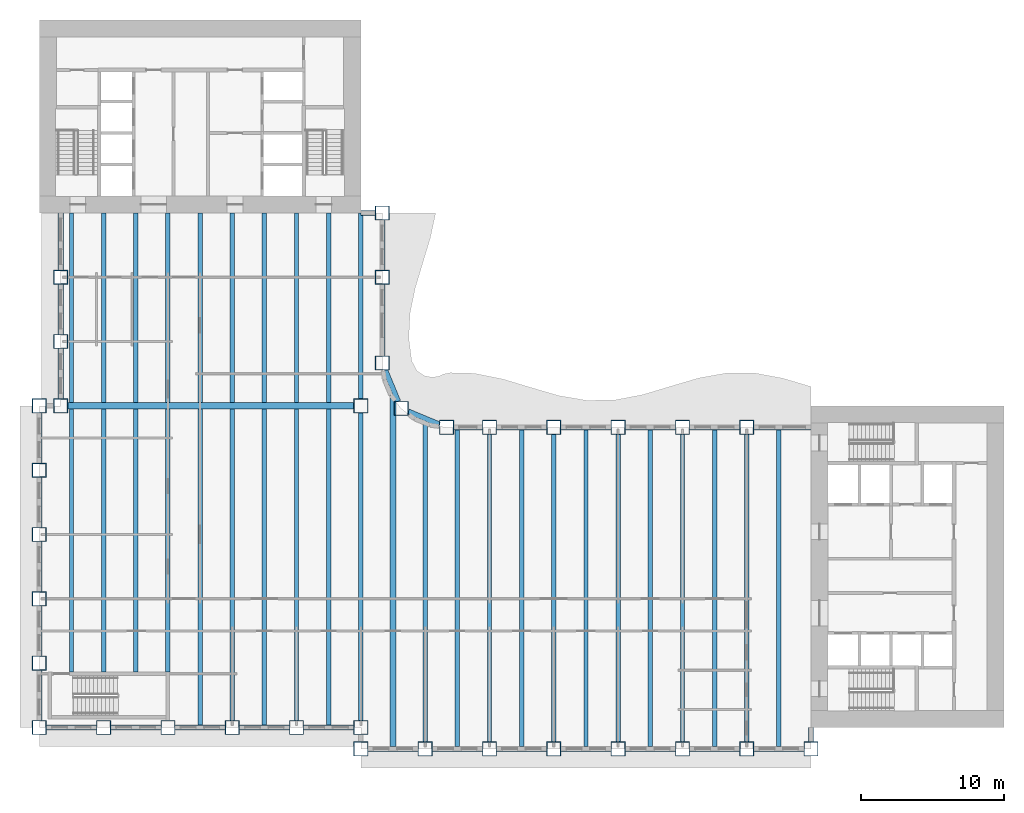
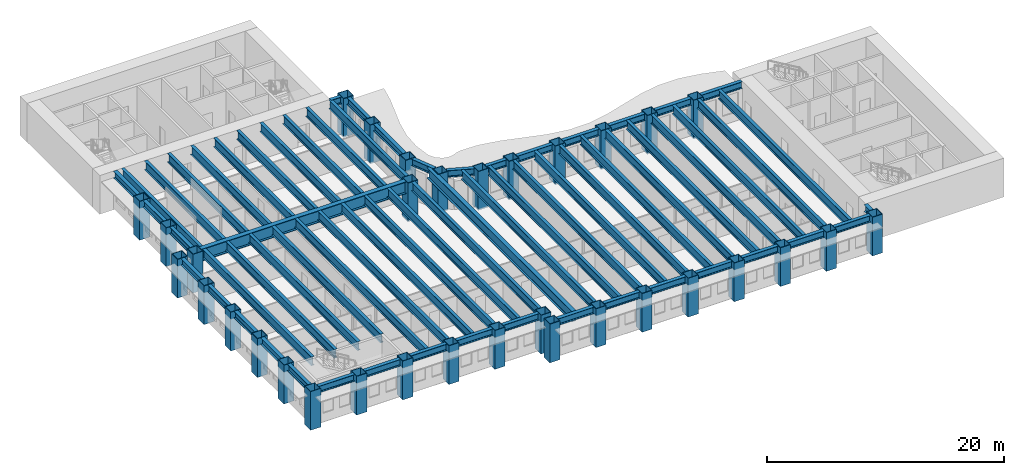
# One storey, part 1 of 16: 66 beams, 33 columns.
"""IFC4 building model written with IfcOpenShell, lengths in metres."""

from ifc_helpers import new_model, si_unit, direction, frame, origin, origin_2d, place, context, subcontext, project, spatial, hollow_rectangle, i_section, extrude, material, material_profile, profile_set, type_object, element, save


model = new_model("IFC4")

# Units and contexts
model_context = context("Model", 3, precision=1e-05, world=origin(), true_north=direction((0.0, 1.0)))
body_context = subcontext(model_context, "Body", "Model", "MODEL_VIEW")
ifc_project = project(units=[si_unit("LENGTHUNIT", "METRE"), si_unit("AREAUNIT", "SQUARE_METRE"), si_unit("VOLUMEUNIT", "CUBIC_METRE"), si_unit("PLANEANGLEUNIT", "RADIAN"), si_unit("MASSUNIT", "GRAM", prefix="KILO")], contexts=[model_context])

# Site, building, storey
site_placement = place(None, origin())
site = spatial("IfcSite", under=ifc_project, at=site_placement, CompositionType="ELEMENT")
building_placement = place(site_placement, origin())
building = spatial("IfcBuilding", under=site, at=building_placement, Name="Sennacour Bend Tower", CompositionType="ELEMENT")
storey_placement = place(building_placement, frame((0.0, 0.0, 111.0)))
storey = spatial("IfcBuildingStorey", under=building, at=storey_placement, Name="L25", CompositionType="ELEMENT", Elevation=111.0)

# Columns
ifc_material_1 = material(Name="Steel ASTM A572 Grade 50", Category="steel")
ifc_material_profile_1 = material_profile(ifc_material_1, hollow_rectangle(XDim=1.0, YDim=1.0, WallThickness=0.050048828125, at=origin_2d()), Name="Steel ASTM A572 Grade 50", Category="steel")
ifc_profile_set_1 = profile_set([ifc_material_profile_1], Name="Steel ASTM A572 Grade 50")
column_type = type_object("IfcColumnType", Name="Box column 1000", PredefinedType="COLUMN", material=ifc_profile_set_1)
for number, where, z_axis, x_axis, name in (
    (1, (0.0, 0.0, -0.14990234375), (0.0, 0.0, 1.0), (1.0, 0.0, 0.0), "Perimeter column C2 L25-001"),
    (2, (0.0, 4.5, -0.14990234375), (0.0, 0.0, 1.0), (1.0, 0.0, 0.0), "Perimeter column C2 L25-002"),
    (3, (0.0, 9.0, -0.14990234375), (0.0, 0.0, 1.0), (1.0, 0.0, 0.0), "Perimeter column C2 L25-003"),
    (4, (0.0, 13.5, -0.14990234375), (0.0, 0.0, 1.0), (1.0, 0.0, 0.0), "Perimeter column C2 L25-004"),
    (5, (0.0, 18.0, -0.14990234375), (0.0, 0.0, 1.0), (1.0, 0.0, 0.0), "Perimeter column C2 L25-005"),
    (6, (0.0, 22.5, -0.14990234375), (0.0, 0.0, 1.0), (1.0, 0.0, 0.0), "Perimeter column C2 L25-006"),
    (7, (1.5, 22.5, -0.14990234375), (0.0, 0.0, 1.0), (1.0, 0.0, 0.0), "Perimeter column C2 L25-007"),
    (8, (1.5, 27.0, -0.14990234375), (0.0, 0.0, 1.0), (1.0, 0.0, 0.0), "Perimeter column C2 L25-008"),
    (9, (1.5, 31.5, -0.14990234375), (0.0, 0.0, 1.0), (1.0, 0.0, 0.0), "Perimeter column C2 L25-009"),
    (10, (4.5, 0.0, -0.14990234375), (0.0, 0.0, 1.0), (1.0, 0.0, 0.0), "Perimeter column C2 L25-010"),
    (11, (9.0, 0.0, -0.14990234375), (0.0, 0.0, 1.0), (1.0, 0.0, 0.0), "Perimeter column C2 L25-011"),
    (12, (13.5, 0.0, -0.14990234375), (0.0, 0.0, 1.0), (1.0, 0.0, 0.0), "Perimeter column C2 L25-012"),
    (13, (18.0, 0.0, -0.14990234375), (0.0, 0.0, 1.0), (1.0, 0.0, 0.0), "Perimeter column C2 L25-013"),
    (14, (22.5, -1.5, -0.14990234375), (0.0, 0.0, 1.0), (1.0, 0.0, 0.0), "Perimeter column C2 L25-014"),
    (15, (22.5, 0.0, -0.14990234375), (0.0, 0.0, 1.0), (1.0, 0.0, 0.0), "Perimeter column C2 L25-015"),
    (16, (22.5, 22.5, -0.14990234375), (0.0, 0.0, 1.0), (1.0, 0.0, 0.0), "Knuckle column C2 L25-016"),
    (17, (24.0, 25.5, -0.14990234375), (0.0, 0.0, 1.0), (1.0, 0.0, 0.0), "Perimeter column C2 L25-017"),
    (18, (24.0, 31.5, -0.14990234375), (0.0, 0.0, 1.0), (1.0, 0.0, 0.0), "Perimeter column C2 L25-018"),
    (19, (24.0, 36.0, -0.14990234375), (0.0, 0.0, 1.0), (1.0, 0.0, 0.0), "Perimeter column C2 L25-019"),
    (20, (25.318115234375, 22.318115234375, -0.14990234375), (0.0, 0.0, 1.0), (1.0, 0.0, 0.0), "Perimeter column C2 L25-020"),
    (21, (27.0, -1.5, -0.14990234375), (0.0, 0.0, 1.0), (1.0, 0.0, 0.0), "Perimeter column C2 L25-021"),
    (22, (28.5, 21.0, -0.14990234375), (0.0, 0.0, 1.0), (1.0, 0.0, 0.0), "Perimeter column C2 L25-022"),
    (23, (31.5, -1.5, -0.14990234375), (0.0, 0.0, 1.0), (1.0, 0.0, 0.0), "Perimeter column C2 L25-023"),
    (24, (31.5, 21.0, -0.14990234375), (0.0, 0.0, 1.0), (1.0, 0.0, 0.0), "Perimeter column C2 L25-024"),
    (25, (36.0, -1.5, -0.14990234375), (0.0, 0.0, 1.0), (1.0, 0.0, 0.0), "Perimeter column C2 L25-025"),
    (26, (36.0, 21.0, -0.14990234375), (0.0, 0.0, 1.0), (1.0, 0.0, 0.0), "Perimeter column C2 L25-026"),
    (27, (40.5, -1.5, -0.14990234375), (0.0, 0.0, 1.0), (1.0, 0.0, 0.0), "Perimeter column C2 L25-027"),
    (28, (40.5, 21.0, -0.14990234375), (0.0, 0.0, 1.0), (1.0, 0.0, 0.0), "Perimeter column C2 L25-028"),
    (29, (45.0, -1.5, -0.14990234375), (0.0, 0.0, 1.0), (1.0, 0.0, 0.0), "Perimeter column C2 L25-029"),
    (30, (45.0, 21.0, -0.14990234375), (0.0, 0.0, 1.0), (1.0, 0.0, 0.0), "Perimeter column C2 L25-030"),
    (31, (49.5, -1.5, -0.14990234375), (0.0, 0.0, 1.0), (1.0, 0.0, 0.0), "Perimeter column C2 L25-031"),
    (32, (49.5, 21.0, -0.14990234375), (0.0, 0.0, 1.0), (1.0, 0.0, 0.0), "Perimeter column C2 L25-032"),
    (33, (54.0, -1.5, -0.14990234375), (0.0, 0.0, 1.0), (1.0, 0.0, 0.0), "Perimeter column C2 L25-033"),
):
    element("IfcColumn", number, at=place(storey_placement, frame(where, z_axis=z_axis, x_axis=x_axis)), inside=storey, type_object=column_type, Name=name, PredefinedType="COLUMN", context=body_context, shape_type="SweptSolid", body=[
        extrude(hollow_rectangle(XDim=1.0, YDim=1.0, WallThickness=0.050048828125, at=origin_2d()), origin(), (0.0, 0.0, 1.0), 4.0),
    ])

# Beams
ifc_material_2 = material(Name="Steel ASTM A992 Grade 50", Category="steel")
ifc_material_profile_2 = material_profile(ifc_material_2, i_section(OverallWidth=0.304931640625, OverallDepth=0.912109375, WebThickness=0.015869140625, FlangeThickness=0.02392578125, FilletRadius=0.01904296875, at=origin_2d()), Name="Steel ASTM A992 Grade 50", Category="steel")
ifc_profile_set_2 = profile_set([ifc_material_profile_2], Name="Steel ASTM A992 Grade 50")
beam_type_1 = type_object("IfcBeamType", Name="Floor beam W920X223", PredefinedType="BEAM", material=ifc_profile_set_2)
beam_1_placement = place(storey_placement, frame((2.25, 3.875, 3.39404296875), z_axis=(0.0, 1.0, 0.0), x_axis=(-1.0, 0.0, 0.0)))
element("IfcBeam", 34, at=beam_1_placement, inside=storey, type_object=beam_type_1, Name="Floor beam FBM1 L26-001", PredefinedType="BEAM", context=body_context, shape_type="SweptSolid", body=[
    extrude(i_section(OverallWidth=0.304931640625, OverallDepth=0.912109375, WebThickness=0.015869140625, FlangeThickness=0.02392578125, FilletRadius=0.01904296875, at=origin_2d()), origin(), (0.0, 0.0, 1.0), 18.39990234375),
])
beam_2_placement = place(storey_placement, frame((2.25, 22.72509765625, 3.39404296875), z_axis=(0.0, 1.0, 0.0), x_axis=(-1.0, 0.0, 0.0)))
element("IfcBeam", 35, at=beam_2_placement, inside=storey, type_object=beam_type_1, Name="Floor beam FBM1 L26-002", PredefinedType="BEAM", context=body_context, shape_type="SweptSolid", body=[
    extrude(i_section(OverallWidth=0.304931640625, OverallDepth=0.912109375, WebThickness=0.015869140625, FlangeThickness=0.02392578125, FilletRadius=0.01904296875, at=origin_2d()), origin(), (0.0, 0.0, 1.0), 13.27490234375),
])
beam_3_placement = place(storey_placement, frame((4.5, 3.875, 3.39404296875), z_axis=(0.0, 1.0, 0.0), x_axis=(-1.0, 0.0, 0.0)))
element("IfcBeam", 36, at=beam_3_placement, inside=storey, type_object=beam_type_1, Name="Floor beam FBM1 L26-003", PredefinedType="BEAM", context=body_context, shape_type="SweptSolid", body=[
    extrude(i_section(OverallWidth=0.304931640625, OverallDepth=0.912109375, WebThickness=0.015869140625, FlangeThickness=0.02392578125, FilletRadius=0.01904296875, at=origin_2d()), origin(), (0.0, 0.0, 1.0), 18.39990234375),
])
beam_4_placement = place(storey_placement, frame((4.5, 22.72509765625, 3.39404296875), z_axis=(0.0, 1.0, 0.0), x_axis=(-1.0, 0.0, 0.0)))
element("IfcBeam", 37, at=beam_4_placement, inside=storey, type_object=beam_type_1, Name="Floor beam FBM1 L26-004", PredefinedType="BEAM", context=body_context, shape_type="SweptSolid", body=[
    extrude(i_section(OverallWidth=0.304931640625, OverallDepth=0.912109375, WebThickness=0.015869140625, FlangeThickness=0.02392578125, FilletRadius=0.01904296875, at=origin_2d()), origin(), (0.0, 0.0, 1.0), 13.27490234375),
])
beam_5_placement = place(storey_placement, frame((6.75, 3.875, 3.39404296875), z_axis=(0.0, 1.0, 0.0), x_axis=(-1.0, 0.0, 0.0)))
element("IfcBeam", 38, at=beam_5_placement, inside=storey, type_object=beam_type_1, Name="Floor beam FBM1 L26-005", PredefinedType="BEAM", context=body_context, shape_type="SweptSolid", body=[
    extrude(i_section(OverallWidth=0.304931640625, OverallDepth=0.912109375, WebThickness=0.015869140625, FlangeThickness=0.02392578125, FilletRadius=0.01904296875, at=origin_2d()), origin(), (0.0, 0.0, 1.0), 18.39990234375),
])
beam_6_placement = place(storey_placement, frame((6.75, 22.72509765625, 3.39404296875), z_axis=(0.0, 1.0, 0.0), x_axis=(-1.0, 0.0, 0.0)))
element("IfcBeam", 39, at=beam_6_placement, inside=storey, type_object=beam_type_1, Name="Floor beam FBM1 L26-006", PredefinedType="BEAM", context=body_context, shape_type="SweptSolid", body=[
    extrude(i_section(OverallWidth=0.304931640625, OverallDepth=0.912109375, WebThickness=0.015869140625, FlangeThickness=0.02392578125, FilletRadius=0.01904296875, at=origin_2d()), origin(), (0.0, 0.0, 1.0), 13.27490234375),
])
beam_7_placement = place(storey_placement, frame((9.0, 3.875, 3.39404296875), z_axis=(0.0, 1.0, 0.0), x_axis=(-1.0, 0.0, 0.0)))
element("IfcBeam", 40, at=beam_7_placement, inside=storey, type_object=beam_type_1, Name="Floor beam FBM1 L26-007", PredefinedType="BEAM", context=body_context, shape_type="SweptSolid", body=[
    extrude(i_section(OverallWidth=0.304931640625, OverallDepth=0.912109375, WebThickness=0.015869140625, FlangeThickness=0.02392578125, FilletRadius=0.01904296875, at=origin_2d()), origin(), (0.0, 0.0, 1.0), 18.39990234375),
])
beam_8_placement = place(storey_placement, frame((9.0, 22.72509765625, 3.39404296875), z_axis=(0.0, 1.0, 0.0), x_axis=(-1.0, 0.0, 0.0)))
element("IfcBeam", 41, at=beam_8_placement, inside=storey, type_object=beam_type_1, Name="Floor beam FBM1 L26-008", PredefinedType="BEAM", context=body_context, shape_type="SweptSolid", body=[
    extrude(i_section(OverallWidth=0.304931640625, OverallDepth=0.912109375, WebThickness=0.015869140625, FlangeThickness=0.02392578125, FilletRadius=0.01904296875, at=origin_2d()), origin(), (0.0, 0.0, 1.0), 13.27490234375),
])
beam_9_placement = place(storey_placement, frame((11.25, 0.177978515625, 3.39404296875), z_axis=(0.0, 1.0, 0.0), x_axis=(-1.0, 0.0, 0.0)))
element("IfcBeam", 42, at=beam_9_placement, inside=storey, type_object=beam_type_1, Name="Floor beam FBM1 L26-009", PredefinedType="BEAM", context=body_context, shape_type="SweptSolid", body=[
    extrude(i_section(OverallWidth=0.304931640625, OverallDepth=0.912109375, WebThickness=0.015869140625, FlangeThickness=0.02392578125, FilletRadius=0.01904296875, at=origin_2d()), origin(), (0.0, 0.0, 1.0), 22.096923828125),
])
beam_10_placement = place(storey_placement, frame((11.25, 22.72509765625, 3.39404296875), z_axis=(0.0, 1.0, 0.0), x_axis=(-1.0, 0.0, 0.0)))
element("IfcBeam", 43, at=beam_10_placement, inside=storey, type_object=beam_type_1, Name="Floor beam FBM1 L26-010", PredefinedType="BEAM", context=body_context, shape_type="SweptSolid", body=[
    extrude(i_section(OverallWidth=0.304931640625, OverallDepth=0.912109375, WebThickness=0.015869140625, FlangeThickness=0.02392578125, FilletRadius=0.01904296875, at=origin_2d()), origin(), (0.0, 0.0, 1.0), 13.27490234375),
])
beam_11_placement = place(storey_placement, frame((13.5, 0.5, 3.39404296875), z_axis=(0.0, 1.0, 0.0), x_axis=(-1.0, 0.0, 0.0)))
element("IfcBeam", 44, at=beam_11_placement, inside=storey, type_object=beam_type_1, Name="Floor beam FBM1 L26-011", PredefinedType="BEAM", context=body_context, shape_type="SweptSolid", body=[
    extrude(i_section(OverallWidth=0.304931640625, OverallDepth=0.912109375, WebThickness=0.015869140625, FlangeThickness=0.02392578125, FilletRadius=0.01904296875, at=origin_2d()), origin(), (0.0, 0.0, 1.0), 21.77490234375),
])
beam_12_placement = place(storey_placement, frame((13.5, 22.72509765625, 3.39404296875), z_axis=(0.0, 1.0, 0.0), x_axis=(-1.0, 0.0, 0.0)))
element("IfcBeam", 45, at=beam_12_placement, inside=storey, type_object=beam_type_1, Name="Floor beam FBM1 L26-012", PredefinedType="BEAM", context=body_context, shape_type="SweptSolid", body=[
    extrude(i_section(OverallWidth=0.304931640625, OverallDepth=0.912109375, WebThickness=0.015869140625, FlangeThickness=0.02392578125, FilletRadius=0.01904296875, at=origin_2d()), origin(), (0.0, 0.0, 1.0), 13.27490234375),
])
beam_13_placement = place(storey_placement, frame((15.75, 0.177978515625, 3.39404296875), z_axis=(0.0, 1.0, 0.0), x_axis=(-1.0, 0.0, 0.0)))
element("IfcBeam", 46, at=beam_13_placement, inside=storey, type_object=beam_type_1, Name="Floor beam FBM1 L26-013", PredefinedType="BEAM", context=body_context, shape_type="SweptSolid", body=[
    extrude(i_section(OverallWidth=0.304931640625, OverallDepth=0.912109375, WebThickness=0.015869140625, FlangeThickness=0.02392578125, FilletRadius=0.01904296875, at=origin_2d()), origin(), (0.0, 0.0, 1.0), 22.096923828125),
])
beam_14_placement = place(storey_placement, frame((15.75, 22.72509765625, 3.39404296875), z_axis=(0.0, 1.0, 0.0), x_axis=(-1.0, 0.0, 0.0)))
element("IfcBeam", 47, at=beam_14_placement, inside=storey, type_object=beam_type_1, Name="Floor beam FBM1 L26-014", PredefinedType="BEAM", context=body_context, shape_type="SweptSolid", body=[
    extrude(i_section(OverallWidth=0.304931640625, OverallDepth=0.912109375, WebThickness=0.015869140625, FlangeThickness=0.02392578125, FilletRadius=0.01904296875, at=origin_2d()), origin(), (0.0, 0.0, 1.0), 13.27490234375),
])
beam_15_placement = place(storey_placement, frame((18.0, 0.5, 3.39404296875), z_axis=(0.0, 1.0, 0.0), x_axis=(-1.0, 0.0, 0.0)))
element("IfcBeam", 48, at=beam_15_placement, inside=storey, type_object=beam_type_1, Name="Floor beam FBM1 L26-015", PredefinedType="BEAM", context=body_context, shape_type="SweptSolid", body=[
    extrude(i_section(OverallWidth=0.304931640625, OverallDepth=0.912109375, WebThickness=0.015869140625, FlangeThickness=0.02392578125, FilletRadius=0.01904296875, at=origin_2d()), origin(), (0.0, 0.0, 1.0), 21.77490234375),
])
beam_16_placement = place(storey_placement, frame((18.0, 22.72509765625, 3.39404296875), z_axis=(0.0, 1.0, 0.0), x_axis=(-1.0, 0.0, 0.0)))
element("IfcBeam", 49, at=beam_16_placement, inside=storey, type_object=beam_type_1, Name="Floor beam FBM1 L26-016", PredefinedType="BEAM", context=body_context, shape_type="SweptSolid", body=[
    extrude(i_section(OverallWidth=0.304931640625, OverallDepth=0.912109375, WebThickness=0.015869140625, FlangeThickness=0.02392578125, FilletRadius=0.01904296875, at=origin_2d()), origin(), (0.0, 0.0, 1.0), 13.27490234375),
])
beam_17_placement = place(storey_placement, frame((20.25, 0.177978515625, 3.39404296875), z_axis=(0.0, 1.0, 0.0), x_axis=(-1.0, 0.0, 0.0)))
element("IfcBeam", 50, at=beam_17_placement, inside=storey, type_object=beam_type_1, Name="Floor beam FBM1 L26-017", PredefinedType="BEAM", context=body_context, shape_type="SweptSolid", body=[
    extrude(i_section(OverallWidth=0.304931640625, OverallDepth=0.912109375, WebThickness=0.015869140625, FlangeThickness=0.02392578125, FilletRadius=0.01904296875, at=origin_2d()), origin(), (0.0, 0.0, 1.0), 22.096923828125),
])
beam_18_placement = place(storey_placement, frame((20.25, 22.72509765625, 3.39404296875), z_axis=(0.0, 1.0, 0.0), x_axis=(-1.0, 0.0, 0.0)))
element("IfcBeam", 51, at=beam_18_placement, inside=storey, type_object=beam_type_1, Name="Floor beam FBM1 L26-018", PredefinedType="BEAM", context=body_context, shape_type="SweptSolid", body=[
    extrude(i_section(OverallWidth=0.304931640625, OverallDepth=0.912109375, WebThickness=0.015869140625, FlangeThickness=0.02392578125, FilletRadius=0.01904296875, at=origin_2d()), origin(), (0.0, 0.0, 1.0), 13.27490234375),
])
beam_19_placement = place(storey_placement, frame((22.5, 0.5, 3.39404296875), z_axis=(0.0, 1.0, 0.0), x_axis=(-1.0, 0.0, 0.0)))
element("IfcBeam", 52, at=beam_19_placement, inside=storey, type_object=beam_type_1, Name="Floor beam FBM1 L26-019", PredefinedType="BEAM", context=body_context, shape_type="SweptSolid", body=[
    extrude(i_section(OverallWidth=0.304931640625, OverallDepth=0.912109375, WebThickness=0.015869140625, FlangeThickness=0.02392578125, FilletRadius=0.01904296875, at=origin_2d()), origin(), (0.0, 0.0, 1.0), 21.5),
])
beam_20_placement = place(storey_placement, frame((22.5, 23.0, 3.39404296875), z_axis=(0.0, 1.0, 0.0), x_axis=(-1.0, 0.0, 0.0)))
element("IfcBeam", 53, at=beam_20_placement, inside=storey, type_object=beam_type_1, Name="Floor beam FBM1 L26-020", PredefinedType="BEAM", context=body_context, shape_type="SweptSolid", body=[
    extrude(i_section(OverallWidth=0.304931640625, OverallDepth=0.912109375, WebThickness=0.015869140625, FlangeThickness=0.02392578125, FilletRadius=0.01904296875, at=origin_2d()), origin(), (0.0, 0.0, 1.0), 13.0),
])
beam_21_placement = place(storey_placement, frame((27.0, -1.0, 3.39404296875), z_axis=(0.0, 1.0, 0.0), x_axis=(-1.0, 0.0, 0.0)))
element("IfcBeam", 54, at=beam_21_placement, inside=storey, type_object=beam_type_1, Name="Floor beam FBM1 L26-022", PredefinedType="BEAM", context=body_context, shape_type="SweptSolid", body=[
    extrude(i_section(OverallWidth=0.304931640625, OverallDepth=0.912109375, WebThickness=0.015869140625, FlangeThickness=0.02392578125, FilletRadius=0.01904296875, at=origin_2d()), origin(), (0.0, 0.0, 1.0), 22.4287109375),
])
beam_22_placement = place(storey_placement, frame((29.25, -1.322021484375, 3.39404296875), z_axis=(0.0, 1.0, 0.0), x_axis=(-1.0, 0.0, 0.0)))
element("IfcBeam", 55, at=beam_22_placement, inside=storey, type_object=beam_type_1, Name="Floor beam FBM1 L26-023", PredefinedType="BEAM", context=body_context, shape_type="SweptSolid", body=[
    extrude(i_section(OverallWidth=0.304931640625, OverallDepth=0.912109375, WebThickness=0.015869140625, FlangeThickness=0.02392578125, FilletRadius=0.01904296875, at=origin_2d()), origin(), (0.0, 0.0, 1.0), 22.14404296875),
])
beam_23_placement = place(storey_placement, frame((31.5, -1.0, 3.39404296875), z_axis=(0.0, 1.0, 0.0), x_axis=(-1.0, 0.0, 0.0)))
element("IfcBeam", 56, at=beam_23_placement, inside=storey, type_object=beam_type_1, Name="Floor beam FBM1 L26-024", PredefinedType="BEAM", context=body_context, shape_type="SweptSolid", body=[
    extrude(i_section(OverallWidth=0.304931640625, OverallDepth=0.912109375, WebThickness=0.015869140625, FlangeThickness=0.02392578125, FilletRadius=0.01904296875, at=origin_2d()), origin(), (0.0, 0.0, 1.0), 21.5),
])
beam_24_placement = place(storey_placement, frame((33.75, -1.322021484375, 3.39404296875), z_axis=(0.0, 1.0, 0.0), x_axis=(-1.0, 0.0, 0.0)))
element("IfcBeam", 57, at=beam_24_placement, inside=storey, type_object=beam_type_1, Name="Floor beam FBM1 L26-025", PredefinedType="BEAM", context=body_context, shape_type="SweptSolid", body=[
    extrude(i_section(OverallWidth=0.304931640625, OverallDepth=0.912109375, WebThickness=0.015869140625, FlangeThickness=0.02392578125, FilletRadius=0.01904296875, at=origin_2d()), origin(), (0.0, 0.0, 1.0), 22.14404296875),
])
beam_25_placement = place(storey_placement, frame((36.0, -1.0, 3.39404296875), z_axis=(0.0, 1.0, 0.0), x_axis=(-1.0, 0.0, 0.0)))
element("IfcBeam", 58, at=beam_25_placement, inside=storey, type_object=beam_type_1, Name="Floor beam FBM1 L26-026", PredefinedType="BEAM", context=body_context, shape_type="SweptSolid", body=[
    extrude(i_section(OverallWidth=0.304931640625, OverallDepth=0.912109375, WebThickness=0.015869140625, FlangeThickness=0.02392578125, FilletRadius=0.01904296875, at=origin_2d()), origin(), (0.0, 0.0, 1.0), 21.5),
])
beam_26_placement = place(storey_placement, frame((38.25, -1.322021484375, 3.39404296875), z_axis=(0.0, 1.0, 0.0), x_axis=(-1.0, 0.0, 0.0)))
element("IfcBeam", 59, at=beam_26_placement, inside=storey, type_object=beam_type_1, Name="Floor beam FBM1 L26-027", PredefinedType="BEAM", context=body_context, shape_type="SweptSolid", body=[
    extrude(i_section(OverallWidth=0.304931640625, OverallDepth=0.912109375, WebThickness=0.015869140625, FlangeThickness=0.02392578125, FilletRadius=0.01904296875, at=origin_2d()), origin(), (0.0, 0.0, 1.0), 22.14404296875),
])
beam_27_placement = place(storey_placement, frame((40.5, -1.0, 3.39404296875), z_axis=(0.0, 1.0, 0.0), x_axis=(-1.0, 0.0, 0.0)))
element("IfcBeam", 60, at=beam_27_placement, inside=storey, type_object=beam_type_1, Name="Floor beam FBM1 L26-028", PredefinedType="BEAM", context=body_context, shape_type="SweptSolid", body=[
    extrude(i_section(OverallWidth=0.304931640625, OverallDepth=0.912109375, WebThickness=0.015869140625, FlangeThickness=0.02392578125, FilletRadius=0.01904296875, at=origin_2d()), origin(), (0.0, 0.0, 1.0), 21.5),
])
beam_28_placement = place(storey_placement, frame((42.75, -1.322021484375, 3.39404296875), z_axis=(0.0, 1.0, 0.0), x_axis=(-1.0, 0.0, 0.0)))
element("IfcBeam", 61, at=beam_28_placement, inside=storey, type_object=beam_type_1, Name="Floor beam FBM1 L26-029", PredefinedType="BEAM", context=body_context, shape_type="SweptSolid", body=[
    extrude(i_section(OverallWidth=0.304931640625, OverallDepth=0.912109375, WebThickness=0.015869140625, FlangeThickness=0.02392578125, FilletRadius=0.01904296875, at=origin_2d()), origin(), (0.0, 0.0, 1.0), 22.14404296875),
])
beam_29_placement = place(storey_placement, frame((45.0, -1.0, 3.39404296875), z_axis=(0.0, 1.0, 0.0), x_axis=(-1.0, 0.0, 0.0)))
element("IfcBeam", 62, at=beam_29_placement, inside=storey, type_object=beam_type_1, Name="Floor beam FBM1 L26-030", PredefinedType="BEAM", context=body_context, shape_type="SweptSolid", body=[
    extrude(i_section(OverallWidth=0.304931640625, OverallDepth=0.912109375, WebThickness=0.015869140625, FlangeThickness=0.02392578125, FilletRadius=0.01904296875, at=origin_2d()), origin(), (0.0, 0.0, 1.0), 21.5),
])
beam_30_placement = place(storey_placement, frame((47.25, -1.322021484375, 3.39404296875), z_axis=(0.0, 1.0, 0.0), x_axis=(-1.0, 0.0, 0.0)))
element("IfcBeam", 63, at=beam_30_placement, inside=storey, type_object=beam_type_1, Name="Floor beam FBM1 L26-031", PredefinedType="BEAM", context=body_context, shape_type="SweptSolid", body=[
    extrude(i_section(OverallWidth=0.304931640625, OverallDepth=0.912109375, WebThickness=0.015869140625, FlangeThickness=0.02392578125, FilletRadius=0.01904296875, at=origin_2d()), origin(), (0.0, 0.0, 1.0), 22.14404296875),
])
beam_31_placement = place(storey_placement, frame((49.5, -1.0, 3.39404296875), z_axis=(0.0, 1.0, 0.0), x_axis=(-1.0, 0.0, 0.0)))
element("IfcBeam", 64, at=beam_31_placement, inside=storey, type_object=beam_type_1, Name="Floor beam FBM1 L26-032", PredefinedType="BEAM", context=body_context, shape_type="SweptSolid", body=[
    extrude(i_section(OverallWidth=0.304931640625, OverallDepth=0.912109375, WebThickness=0.015869140625, FlangeThickness=0.02392578125, FilletRadius=0.01904296875, at=origin_2d()), origin(), (0.0, 0.0, 1.0), 21.5),
])
beam_32_placement = place(storey_placement, frame((51.75, -1.322021484375, 3.39404296875), z_axis=(0.0, 1.0, 0.0), x_axis=(-1.0, 0.0, 0.0)))
element("IfcBeam", 65, at=beam_32_placement, inside=storey, type_object=beam_type_1, Name="Floor beam FBM1 L26-033", PredefinedType="BEAM", context=body_context, shape_type="SweptSolid", body=[
    extrude(i_section(OverallWidth=0.304931640625, OverallDepth=0.912109375, WebThickness=0.015869140625, FlangeThickness=0.02392578125, FilletRadius=0.01904296875, at=origin_2d()), origin(), (0.0, 0.0, 1.0), 22.14404296875),
])
ifc_material_profile_3 = material_profile(ifc_material_1, i_section(OverallWidth=0.449951171875, OverallDepth=1.25, WebThickness=0.028076171875, FlangeThickness=0.050048828125, at=origin_2d()), Name="Steel ASTM A572 Grade 50", Category="steel")
ifc_profile_set_3 = profile_set([ifc_material_profile_3], Name="Steel ASTM A572 Grade 50")
beam_type_2 = type_object("IfcBeamType", Name="Knuckle girder 1250", PredefinedType="USERDEFINED", material=ifc_profile_set_3)
beam_33_placement = place(storey_placement, frame((2.0, 22.5, 3.22509765625), z_axis=(1.0, 0.0, 0.0), x_axis=(0.0, 1.0, 0.0)))
element("IfcBeam", 66, at=beam_33_placement, inside=storey, type_object=beam_type_2, Name="Knuckle girder GK L26-001", ObjectType="KNUCKLE GIRDER", PredefinedType="USERDEFINED", context=body_context, shape_type="SweptSolid", body=[
    extrude(i_section(OverallWidth=0.449951171875, OverallDepth=1.25, WebThickness=0.028076171875, FlangeThickness=0.050048828125, at=origin_2d()), origin(), (0.0, 0.0, 1.0), 20.0),
])
ifc_material_profile_4 = material_profile(ifc_material_2, i_section(OverallWidth=0.40087890625, OverallDepth=1.090087890625, WebThickness=0.01806640625, FlangeThickness=0.031005859375, FilletRadius=0.02001953125, at=origin_2d()), Name="Steel ASTM A992 Grade 50", Category="steel")
ifc_profile_set_4 = profile_set([ifc_material_profile_4], Name="Steel ASTM A992 Grade 50")
beam_type_3 = type_object("IfcBeamType", Name="Notch floor beam W1100X343", PredefinedType="BEAM", material=ifc_profile_set_4)
beam_34_placement = place(storey_placement, frame((24.75, -1.322021484375, 3.304931640625), z_axis=(0.0, 1.0, 0.0), x_axis=(-1.0, 0.0, 0.0)))
element("IfcBeam", 67, at=beam_34_placement, inside=storey, type_object=beam_type_3, Name="Floor beam FBM4 L26-021", PredefinedType="BEAM", context=body_context, shape_type="SweptSolid", body=[
    extrude(i_section(OverallWidth=0.40087890625, OverallDepth=1.090087890625, WebThickness=0.01806640625, FlangeThickness=0.031005859375, FilletRadius=0.02001953125, at=origin_2d()), origin(), (0.0, 0.0, 1.0), 24.546142578125),
])
ifc_material_profile_5 = material_profile(ifc_material_2, i_section(OverallWidth=0.35595703125, OverallDepth=0.696044921875, WebThickness=0.015380859375, FlangeThickness=0.02490234375, FilletRadius=0.02001953125, at=origin_2d()), Name="Steel ASTM A992 Grade 50", Category="steel")
ifc_profile_set_5 = profile_set([ifc_material_profile_5], Name="Steel ASTM A992 Grade 50")
beam_type_4 = type_object("IfcBeamType", Name="Spandrel beam W690X217", PredefinedType="SPANDREL", material=ifc_profile_set_5)
for number, where, z_axis, x_axis, name in (
    (68, (22.0, 0.0, 3.501953125), (-1.0, 0.0, 0.0), (0.0, -1.0, 0.0), "Spandrel beam SP3 L26-001"),
    (69, (17.5, 0.0, 3.501953125), (-1.0, 0.0, 0.0), (0.0, -1.0, 0.0), "Spandrel beam SP3 L26-002"),
    (70, (13.0, 0.0, 3.501953125), (-1.0, 0.0, 0.0), (0.0, -1.0, 0.0), "Spandrel beam SP3 L26-003"),
    (71, (8.5, 0.0, 3.501953125), (-1.0, 0.0, 0.0), (0.0, -1.0, 0.0), "Spandrel beam SP3 L26-004"),
    (72, (4.0, 0.0, 3.501953125), (-1.0, 0.0, 0.0), (0.0, -1.0, 0.0), "Spandrel beam SP3 L26-005"),
    (73, (0.0, 0.5, 3.501953125), (0.0, 1.0, 0.0), (-1.0, 0.0, 0.0), "Spandrel beam SP3 L26-006"),
    (74, (0.0, 5.0, 3.501953125), (0.0, 1.0, 0.0), (-1.0, 0.0, 0.0), "Spandrel beam SP3 L26-007"),
    (75, (0.0, 9.5, 3.501953125), (0.0, 1.0, 0.0), (-1.0, 0.0, 0.0), "Spandrel beam SP3 L26-008"),
    (76, (0.0, 14.0, 3.501953125), (0.0, 1.0, 0.0), (-1.0, 0.0, 0.0), "Spandrel beam SP3 L26-009"),
    (77, (0.0, 18.5, 3.501953125), (0.0, 1.0, 0.0), (-1.0, 0.0, 0.0), "Spandrel beam SP3 L26-010"),
    (78, (1.5, 23.0, 3.501953125), (0.0, 1.0, 0.0), (-1.0, 0.0, 0.0), "Spandrel beam SP3 L26-011"),
    (79, (1.5, 27.5, 3.501953125), (0.0, 1.0, 0.0), (-1.0, 0.0, 0.0), "Spandrel beam SP3 L26-012"),
):
    element("IfcBeam", number, at=place(storey_placement, frame(where, z_axis=z_axis, x_axis=x_axis)), inside=storey, type_object=beam_type_4, Name=name, PredefinedType="SPANDREL", context=body_context, shape_type="SweptSolid", body=[
        extrude(i_section(OverallWidth=0.35595703125, OverallDepth=0.696044921875, WebThickness=0.015380859375, FlangeThickness=0.02490234375, FilletRadius=0.02001953125, at=origin_2d()), origin(), (0.0, 0.0, 1.0), 3.5),
    ])
beam_35_placement = place(storey_placement, frame((1.5, 32.0, 3.501953125), z_axis=(0.0, 1.0, 0.0), x_axis=(-1.0, 0.0, 0.0)))
element("IfcBeam", 80, at=beam_35_placement, inside=storey, type_object=beam_type_4, Name="Spandrel beam SP3 L26-013", PredefinedType="SPANDREL", context=body_context, shape_type="SweptSolid", body=[
    extrude(i_section(OverallWidth=0.35595703125, OverallDepth=0.696044921875, WebThickness=0.015380859375, FlangeThickness=0.02490234375, FilletRadius=0.02001953125, at=origin_2d()), origin(), (0.0, 0.0, 1.0), 4.0),
])
beam_36_placement = place(storey_placement, frame((22.5, 36.0, 3.501953125), z_axis=(1.0, 0.0, 0.0), x_axis=(0.0, 1.0, 0.0)))
element("IfcBeam", 81, at=beam_36_placement, inside=storey, type_object=beam_type_4, Name="Spandrel beam SP3 L26-014", PredefinedType="SPANDREL", context=body_context, shape_type="SweptSolid", body=[
    extrude(i_section(OverallWidth=0.35595703125, OverallDepth=0.696044921875, WebThickness=0.015380859375, FlangeThickness=0.02490234375, FilletRadius=0.02001953125, at=origin_2d()), origin(), (0.0, 0.0, 1.0), 1.0),
])
beam_37_placement = place(storey_placement, frame((24.0, 35.5, 3.501953125), z_axis=(0.0, -1.0, 0.0), x_axis=(1.0, 0.0, 0.0)))
element("IfcBeam", 82, at=beam_37_placement, inside=storey, type_object=beam_type_4, Name="Spandrel beam SP3 L26-015", PredefinedType="SPANDREL", context=body_context, shape_type="SweptSolid", body=[
    extrude(i_section(OverallWidth=0.35595703125, OverallDepth=0.696044921875, WebThickness=0.015380859375, FlangeThickness=0.02490234375, FilletRadius=0.02001953125, at=origin_2d()), origin(), (0.0, 0.0, 1.0), 3.5),
])
beam_38_placement = place(storey_placement, frame((24.0, 31.0, 3.501953125), z_axis=(0.0, -1.0, 0.0), x_axis=(1.0, 0.0, 0.0)))
element("IfcBeam", 83, at=beam_38_placement, inside=storey, type_object=beam_type_4, Name="Spandrel beam SP3 L26-016", PredefinedType="SPANDREL", context=body_context, shape_type="SweptSolid", body=[
    extrude(i_section(OverallWidth=0.35595703125, OverallDepth=0.696044921875, WebThickness=0.015380859375, FlangeThickness=0.02490234375, FilletRadius=0.02001953125, at=origin_2d()), origin(), (0.0, 0.0, 1.0), 5.0),
])
for number, where, z_axis, x_axis, name in (
    (84, (24.20703125, 25.0, 3.501953125), (0.382698732017, -0.92387319504, 0.0), (0.92387319504, 0.382698732017, 0.0), "Spandrel beam SP3 L26-017"),
    (85, (25.818115234375, 22.11083984375, 3.501953125), (0.92387319504, -0.382698732017, 0.0), (0.382698732017, 0.92387319504, 0.0), "Spandrel beam SP3 L26-018"),
):
    element("IfcBeam", number, at=place(storey_placement, frame(where, z_axis=z_axis, x_axis=x_axis)), inside=storey, type_object=beam_type_4, Name=name, PredefinedType="SPANDREL", context=body_context, shape_type="SweptSolid", body=[
        extrude(i_section(OverallWidth=0.35595703125, OverallDepth=0.696044921875, WebThickness=0.015380859375, FlangeThickness=0.02490234375, FilletRadius=0.02001953125, at=origin_2d()), origin(), (0.0, 0.0, 1.0), 2.361572265625),
    ])
beam_39_placement = place(storey_placement, frame((29.0, 21.0, 3.501953125), z_axis=(1.0, 0.0, 0.0), x_axis=(0.0, 1.0, 0.0)))
element("IfcBeam", 86, at=beam_39_placement, inside=storey, type_object=beam_type_4, Name="Spandrel beam SP3 L26-019", PredefinedType="SPANDREL", context=body_context, shape_type="SweptSolid", body=[
    extrude(i_section(OverallWidth=0.35595703125, OverallDepth=0.696044921875, WebThickness=0.015380859375, FlangeThickness=0.02490234375, FilletRadius=0.02001953125, at=origin_2d()), origin(), (0.0, 0.0, 1.0), 2.0),
])
for number, where, z_axis, x_axis, name in (
    (87, (32.0, 21.0, 3.501953125), (1.0, 0.0, 0.0), (0.0, 1.0, 0.0), "Spandrel beam SP3 L26-020"),
    (88, (36.5, 21.0, 3.501953125), (1.0, 0.0, 0.0), (0.0, 1.0, 0.0), "Spandrel beam SP3 L26-021"),
    (89, (41.0, 21.0, 3.501953125), (1.0, 0.0, 0.0), (0.0, 1.0, 0.0), "Spandrel beam SP3 L26-022"),
    (90, (45.5, 21.0, 3.501953125), (1.0, 0.0, 0.0), (0.0, 1.0, 0.0), "Spandrel beam SP3 L26-023"),
):
    element("IfcBeam", number, at=place(storey_placement, frame(where, z_axis=z_axis, x_axis=x_axis)), inside=storey, type_object=beam_type_4, Name=name, PredefinedType="SPANDREL", context=body_context, shape_type="SweptSolid", body=[
        extrude(i_section(OverallWidth=0.35595703125, OverallDepth=0.696044921875, WebThickness=0.015380859375, FlangeThickness=0.02490234375, FilletRadius=0.02001953125, at=origin_2d()), origin(), (0.0, 0.0, 1.0), 3.5),
    ])
beam_40_placement = place(storey_placement, frame((50.0, 21.0, 3.501953125), z_axis=(1.0, 0.0, 0.0), x_axis=(0.0, 1.0, 0.0)))
element("IfcBeam", 91, at=beam_40_placement, inside=storey, type_object=beam_type_4, Name="Spandrel beam SP3 L26-024", PredefinedType="SPANDREL", context=body_context, shape_type="SweptSolid", body=[
    extrude(i_section(OverallWidth=0.35595703125, OverallDepth=0.696044921875, WebThickness=0.015380859375, FlangeThickness=0.02490234375, FilletRadius=0.02001953125, at=origin_2d()), origin(), (0.0, 0.0, 1.0), 4.0),
])
beam_41_placement = place(storey_placement, frame((54.0, 0.0, 3.501953125), z_axis=(0.0, -1.0, 0.0), x_axis=(1.0, 0.0, 0.0)))
element("IfcBeam", 92, at=beam_41_placement, inside=storey, type_object=beam_type_4, Name="Spandrel beam SP3 L26-025", PredefinedType="SPANDREL", context=body_context, shape_type="SweptSolid", body=[
    extrude(i_section(OverallWidth=0.35595703125, OverallDepth=0.696044921875, WebThickness=0.015380859375, FlangeThickness=0.02490234375, FilletRadius=0.02001953125, at=origin_2d()), origin(), (0.0, 0.0, 1.0), 1.0),
])
for number, where, z_axis, x_axis, name in (
    (93, (53.5, -1.5, 3.501953125), (-1.0, 0.0, 0.0), (0.0, -1.0, 0.0), "Spandrel beam SP3 L26-026"),
    (94, (49.0, -1.5, 3.501953125), (-1.0, 0.0, 0.0), (0.0, -1.0, 0.0), "Spandrel beam SP3 L26-027"),
    (95, (44.5, -1.5, 3.501953125), (-1.0, 0.0, 0.0), (0.0, -1.0, 0.0), "Spandrel beam SP3 L26-028"),
    (96, (40.0, -1.5, 3.501953125), (-1.0, 0.0, 0.0), (0.0, -1.0, 0.0), "Spandrel beam SP3 L26-029"),
    (97, (35.5, -1.5, 3.501953125), (-1.0, 0.0, 0.0), (0.0, -1.0, 0.0), "Spandrel beam SP3 L26-030"),
    (98, (31.0, -1.5, 3.501953125), (-1.0, 0.0, 0.0), (0.0, -1.0, 0.0), "Spandrel beam SP3 L26-031"),
    (99, (26.5, -1.5, 3.501953125), (-1.0, 0.0, 0.0), (0.0, -1.0, 0.0), "Spandrel beam SP3 L26-032"),
):
    element("IfcBeam", number, at=place(storey_placement, frame(where, z_axis=z_axis, x_axis=x_axis)), inside=storey, type_object=beam_type_4, Name=name, PredefinedType="SPANDREL", context=body_context, shape_type="SweptSolid", body=[
        extrude(i_section(OverallWidth=0.35595703125, OverallDepth=0.696044921875, WebThickness=0.015380859375, FlangeThickness=0.02490234375, FilletRadius=0.02001953125, at=origin_2d()), origin(), (0.0, 0.0, 1.0), 3.5),
    ])

save(model, "model.ifc")
